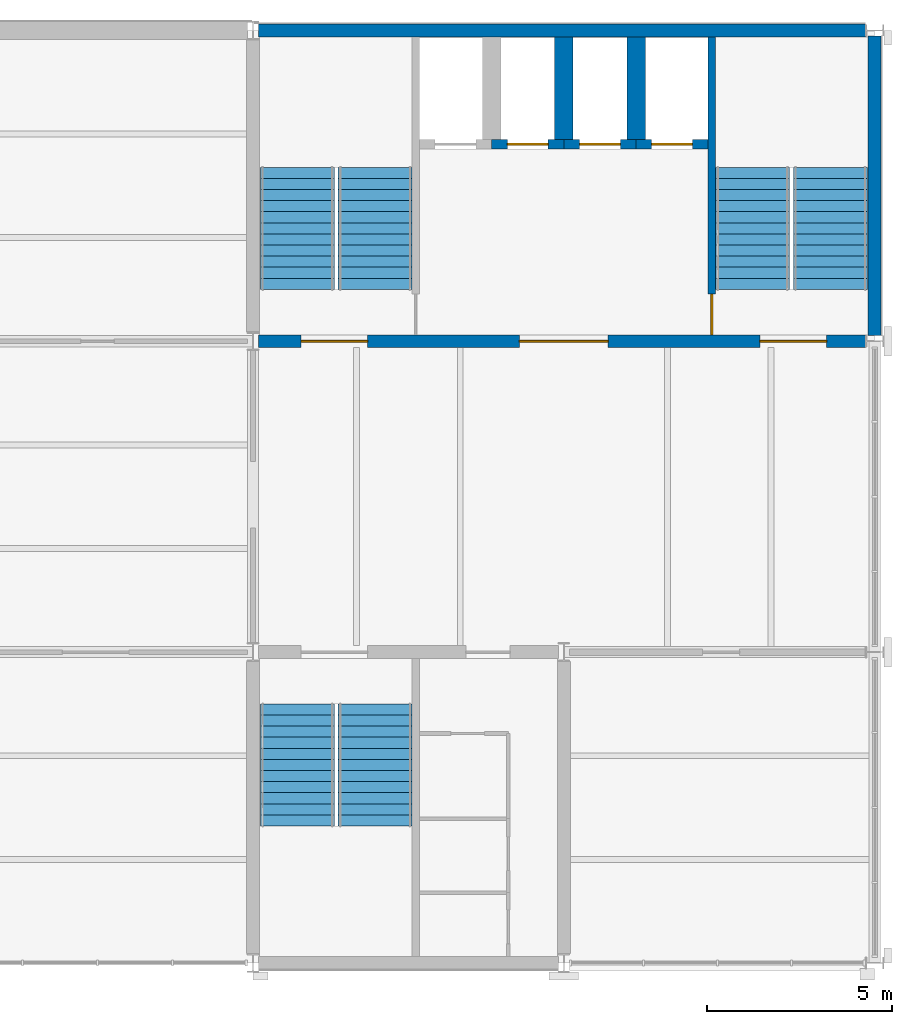
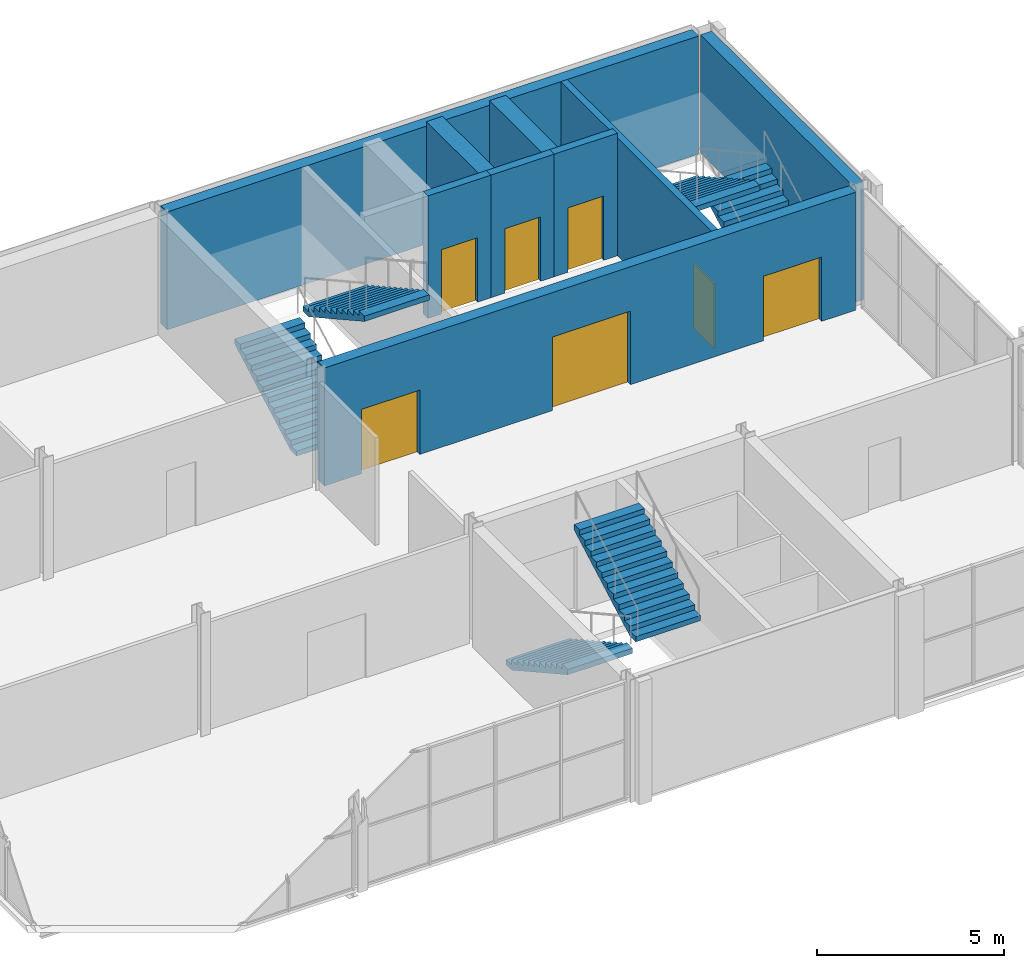
# One storey, part 9 of 12: 9 walls, 7 doors, 6 stair flights, 7 openings, 3 elements without a shape of their own.
"""IFC4 building model written with IfcOpenShell, lengths in metres."""

import ifcopenshell
import ifcopenshell.guid

model = None  # the IFC model being written
_history = None  # IfcOwnerHistory: only IFC2X3 demands one
_inside = {}  # id of a spatial element -> (the spatial element, [elements in it])
_under = {}  # id of a project, library or spatial element -> (it, [spatial elements below it])
_declared = {}  # id of a project -> (the project, [libraries it declares])
_typed = {}  # id of a type object -> (the type object, [elements of that type])
_made_of = {}  # id of a material, layer set ... -> (it, [elements and type objects made of it])


def new_model(schema):
    """Start an empty IFC model of exactly this schema.

    Asked for "IFC4X3", IfcOpenShell would pick the latest addendum, in which some entities
    have other attributes; the version numbers below select the first issue.
    IFC2X3 requires an IfcOwnerHistory on every rooted entity: one is made here for all.
    """
    global model, _history
    if schema == "IFC4X3":
        model = ifcopenshell.file(schema_version=(4, 3, 0, 0))
    else:
        model = ifcopenshell.file(schema=schema)
    _inside.clear()
    _under.clear()
    _declared.clear()
    _typed.clear()
    _made_of.clear()
    _history = None
    if model.schema == "IFC2X3":
        org = make("IfcOrganization", Name="unknown")
        user = make(
            "IfcPersonAndOrganization",
            ThePerson=make("IfcPerson", FamilyName="unknown"),
            TheOrganization=org,
        )
        app = make(
            "IfcApplication",
            ApplicationDeveloper=org,
            Version="unknown",
            ApplicationFullName="unknown",
            ApplicationIdentifier="unknown",
        )
        _history = make(
            "IfcOwnerHistory",
            OwningUser=user,
            OwningApplication=app,
            ChangeAction="ADDED",
            CreationDate=0,
        )
    return model


def make(cls, **values):
    """One entity of the class cls with the attributes given. An attribute that is None is left unset."""
    return model.create_entity(
        cls, **{name: value for name, value in values.items() if value is not None}
    )


def rooted(cls, **values):
    """An entity with a GlobalId (a new one), such as an element, a storey or a relation."""
    return make(cls, GlobalId=ifcopenshell.guid.new(), OwnerHistory=_history, **values)


def si_unit(unit_type, name, prefix=None):
    """IfcSIUnit, for example si_unit("LENGTHUNIT", "METRE", prefix="MILLI")."""
    return make("IfcSIUnit", UnitType=unit_type, Prefix=prefix, Name=name)


def assignment(units):
    """IfcUnitAssignment: the units of a project."""
    return None if units is None else make("IfcUnitAssignment", Units=units)


def point(xyz):
    """IfcCartesianPoint."""
    return None if xyz is None else make("IfcCartesianPoint", Coordinates=xyz)


def direction(xyz):
    """IfcDirection."""
    return None if xyz is None else make("IfcDirection", DirectionRatios=xyz)


def frame(location, z_axis=None, x_axis=None):
    """IfcAxis2Placement3D, a coordinate frame: its origin and axes. An axis left out is left unset."""
    return make(
        "IfcAxis2Placement3D",
        Location=point(location),
        Axis=direction(z_axis),
        RefDirection=direction(x_axis),
    )


def frame_2d(location, x_axis=None):
    """IfcAxis2Placement2D, a coordinate frame in the plane: its origin and x axis."""
    return make(
        "IfcAxis2Placement2D", Location=point(location), RefDirection=direction(x_axis)
    )


def origin():
    """The frame at (0, 0, 0) with its axes left unset."""
    return frame((0.0, 0.0, 0.0))


def place(relative_to, where):
    """IfcLocalPlacement: puts the frame where relative to a parent placement (None: the world)."""
    return make(
        "IfcLocalPlacement", PlacementRelTo=relative_to, RelativePlacement=where
    )


def context(
    kind, dimensions, precision=None, world=None, true_north=None, identifier=None
):
    """IfcGeometricRepresentationContext, for example the 3D "Model" context."""
    return make(
        "IfcGeometricRepresentationContext",
        ContextIdentifier=identifier,
        ContextType=kind,
        CoordinateSpaceDimension=dimensions,
        Precision=precision,
        WorldCoordinateSystem=world,
        TrueNorth=true_north,
    )


def subcontext(parent, identifier, kind, view, scale=None):
    """IfcGeometricRepresentationSubContext, for example "Body" below "Model"."""
    return make(
        "IfcGeometricRepresentationSubContext",
        ContextIdentifier=identifier,
        ContextType=kind,
        ParentContext=parent,
        TargetScale=scale,
        TargetView=view,
    )


def project(units=None, contexts=None):
    """IfcProject with its units and contexts."""
    return rooted(
        "IfcProject",
        Name="project",
        RepresentationContexts=contexts,
        UnitsInContext=assignment(units),
    )


def spatial(cls, under=None, at=None, **own):
    """A site, building, storey or space (cls), placed at a placement, below another one or the project."""
    s = rooted(cls, ObjectPlacement=at, **own)
    if under is not None:
        _under.setdefault(under.id(), (under, []))[1].append(s)
    return s


def polyline(points):
    """IfcPolyline through the points."""
    return make("IfcPolyline", Points=[point(p) for p in points])


def profile(cls, at=None, kind="AREA", **sizes):
    """A parametric profile (cls). Its sizes go by their IFC names, for example OverallWidth=200.0."""
    return make(cls, ProfileType=kind, Position=at, **sizes)


def rectangle(**sizes):
    """IfcRectangleProfileDef."""
    return profile("IfcRectangleProfileDef", **sizes)


def outline(outer, holes=None, kind="AREA"):
    """IfcArbitraryClosedProfileDef: a profile drawn as a closed curve; with holes, ...WithVoids."""
    if holes is None:
        return make("IfcArbitraryClosedProfileDef", ProfileType=kind, OuterCurve=outer)
    return make(
        "IfcArbitraryProfileDefWithVoids",
        ProfileType=kind,
        OuterCurve=outer,
        InnerCurves=holes,
    )


def extrude(swept, where, along, depth):
    """IfcExtrudedAreaSolid: the profile swept, set in the frame where, extruded along a direction by depth."""
    return make(
        "IfcExtrudedAreaSolid",
        SweptArea=swept,
        Position=where,
        ExtrudedDirection=direction(along),
        Depth=depth,
    )


def shape(context_of_items, identifier, shape_type, items):
    """IfcShapeRepresentation: the items that make up one representation, for example the "Body"."""
    return make(
        "IfcShapeRepresentation",
        ContextOfItems=context_of_items,
        RepresentationIdentifier=identifier,
        RepresentationType=shape_type,
        Items=items,
    )


def material(Name=None, Category=None):
    """IfcMaterial."""
    return make("IfcMaterial", Name=Name, Category=Category)


def layer(
    of_material, thickness, ventilated=None, Name=None, Category=None, Priority=None
):
    """IfcMaterialLayer: one layer of a wall or slab, of a material (None: an air gap)."""
    return make(
        "IfcMaterialLayer",
        Material=of_material,
        LayerThickness=thickness,
        IsVentilated=ventilated,
        Name=Name,
        Category=Category,
        Priority=Priority,
    )


def layer_set(layers, Name=None):
    """IfcMaterialLayerSet."""
    return make("IfcMaterialLayerSet", MaterialLayers=layers, LayerSetName=Name)


def made_of(thing, what):
    """Note that an element or type object is made of a material, layer set ...; save() writes the relation."""
    if what is not None:
        _made_of.setdefault(what.id(), (what, []))[1].append(thing)
    return thing


def type_object(cls, material=None, **own):
    """A type object (cls), such as IfcWallType, which elements share."""
    return made_of(rooted(cls, **own), material)


def element(
    cls,
    number,
    at=None,
    inside=None,
    cuts=None,
    type_object=None,
    material=None,
    context=None,
    identifier="Body",
    shape_type=None,
    held_by="IfcProductDefinitionShape",
    body=None,
    shapes=None,
    **own,
):
    """One element of the class cls, such as IfcWall. Its Tag is "e" and its number.

    at: its placement. inside: the storey or other place that contains it. cuts: it is an
    opening in that element (IfcRelVoidsElement). A single representation is given by context,
    identifier, shape_type and body (its items); several are given by shapes. held_by: the class
    of the entity that holds the representations. save() writes the other relations.
    """
    e = rooted(cls, Tag="e%d" % number, ObjectPlacement=at, **own)
    if body is not None:
        shapes = [shape(context, identifier, shape_type, body)]
    if shapes is not None:
        e.Representation = make(held_by, Representations=shapes)
    if inside is not None:
        _inside.setdefault(inside.id(), (inside, []))[1].append(e)
    if cuts is not None:
        rooted(
            "IfcRelVoidsElement", RelatingBuildingElement=cuts, RelatedOpeningElement=e
        )
    if type_object is not None:
        _typed.setdefault(type_object.id(), (type_object, []))[1].append(e)
    return made_of(e, material)


def fill(opening, filler):
    """IfcRelFillsElement: the door or window that sits in an opening."""
    return rooted(
        "IfcRelFillsElement",
        RelatingOpeningElement=opening,
        RelatedBuildingElement=filler,
    )


def aggregate(whole, parts):
    """IfcRelAggregates: a whole, such as a stair, and the parts it consists of."""
    return rooted("IfcRelAggregates", RelatingObject=whole, RelatedObjects=parts)


def save(model, path):
    """Write the relations noted so far, then the file.

    IfcRelAggregates (storeys below a building ...), IfcRelContainedInSpatialStructure (elements
    in a storey), IfcRelDefinesByType, IfcRelAssociatesMaterial and IfcRelDeclares: one each for
    every whole, place, type object, material and project.
    """
    for whole, parts in _under.values():
        aggregate(whole, parts)
    for where, things in _inside.values():
        rooted(
            "IfcRelContainedInSpatialStructure",
            RelatedElements=things,
            RelatingStructure=where,
        )
    for kind, things in _typed.values():
        rooted("IfcRelDefinesByType", RelatedObjects=things, RelatingType=kind)
    for what, things in _made_of.values():
        rooted("IfcRelAssociatesMaterial", RelatedObjects=things, RelatingMaterial=what)
    for by, libraries in _declared.values():
        rooted("IfcRelDeclares", RelatingContext=by, RelatedDefinitions=libraries)
    model.write(path)


model = new_model("IFC4")

# Units and contexts
model_context = context("Model", 3, precision=1e-05, world=origin(), true_north=direction((0.0, 1.0)))
body_context = subcontext(model_context, "Body", "Model", "MODEL_VIEW")
ifc_project = project(units=[si_unit("LENGTHUNIT", "METRE"), si_unit("AREAUNIT", "SQUARE_METRE"), si_unit("VOLUMEUNIT", "CUBIC_METRE"), si_unit("PLANEANGLEUNIT", "RADIAN"), si_unit("MASSUNIT", "GRAM", prefix="KILO")], contexts=[model_context])

# Site, building, storey
site_placement = place(None, origin())
site = spatial("IfcSite", under=ifc_project, at=site_placement, CompositionType="ELEMENT")
building_placement = place(site_placement, origin())
building = spatial("IfcBuilding", under=site, at=building_placement, Name="Galleria Vessillo Department Store", CompositionType="ELEMENT")
storey_placement = place(building_placement, frame((0.0, 0.0, 35.60009765625)))
storey = spatial("IfcBuildingStorey", under=building, at=storey_placement, Name="L07", CompositionType="ELEMENT", Elevation=35.60009765625)

# Walls
ifc_material_1 = material(Name="Solid clay block masonry", Category="masonry")
ifc_layer_1 = layer(ifc_material_1, 0.5)
ifc_layer_set_1 = layer_set([ifc_layer_1], Name="Solid clay block masonry")
wall_type_1 = type_object("IfcWallType", Name="Lift shaft partition wall 500 mm", PredefinedType="SOLIDWALL", material=ifc_layer_set_1)
for number, where, z_axis, x_axis, name in (
    (1, (109.199951171875, 62.824951171875, 0.0), (0.0, 0.0, 1.0), (0.0, -1.0, 0.0), "Lift shaft partition wall T2 L07"),
    (2, (111.14990234375, 62.824951171875, 0.0), (0.0, 0.0, 1.0), (0.0, -1.0, 0.0), "Lift shaft partition wall T3 L07"),
):
    element("IfcWall", number, at=place(storey_placement, frame(where, z_axis=z_axis, x_axis=x_axis)), inside=storey, type_object=wall_type_1, Name=name, PredefinedType="SOLIDWALL", context=body_context, shape_type="SweptSolid", body=[
        extrude(rectangle(XDim=2.77490234375, YDim=0.5, at=frame_2d((1.387451171875, 0.0))), origin(), (0.0, 0.0, 1.0), 4.0),
    ])

# Wall, opening, door
ifc_material_2 = material(Name="Solid clay block masonry", Category="masonry")
ifc_layer_2 = layer(ifc_material_2, 0.25)
ifc_layer_set_2 = layer_set([ifc_layer_2], Name="Solid clay block masonry")
wall_type_2 = type_object("IfcWallType", Name="Lift shaft wall 250 mm", PredefinedType="SOLIDWALL", material=ifc_layer_set_2)
wall_1_placement = place(storey_placement, frame((107.25, 59.925048828125, 0.0), z_axis=(0.0, 0.0, 1.0), x_axis=(1.0, 0.0, 0.0)))
wall_1 = element("IfcWall", 3, at=wall_1_placement, inside=storey, type_object=wall_type_2, Name="Lift shaft wall T2 landing side L07", PredefinedType="SOLIDWALL", context=body_context, shape_type="SweptSolid", body=[
    extrude(rectangle(XDim=1.949951171875, YDim=0.25, at=frame_2d((0.97509765625, 0.0))), origin(), (0.0, 0.0, 1.0), 4.0),
])
opening_1_placement = place(wall_1_placement, frame((0.425048828125, 0.0, 0.0)))
opening_1 = element("IfcOpeningElement", 4, at=opening_1_placement, cuts=wall_1, Name="Opening LD102", PredefinedType="OPENING", context=body_context, shape_type="SweptSolid", body=[
    extrude(rectangle(XDim=1.10009765625, YDim=2.10009765625, at=frame_2d((0.550048828125, 1.050048828125))), frame((0.0, 0.135009765625, 0.0), z_axis=(0.0, -1.0, 0.0), x_axis=(1.0, 0.0, 0.0)), (0.0, 0.0, 1.0), 0.27001953125),
])
ifc_material_3 = material(Name="Stainless steel lift door panel", Category="steel")
door_type_1 = type_object("IfcDoorType", Name="Lift landing door LD110 sliding 1100 x 2100", OperationType="SLIDING_TO_LEFT", PredefinedType="DOOR", material=ifc_material_3)
door_1_placement = place(opening_1_placement, frame((1.10009765625, 0.0, 0.0), z_axis=(0.0, 0.0, 1.0), x_axis=(-1.0, 0.0, 0.0)))
door_1 = element("IfcDoor", 5, at=door_1_placement, inside=storey, type_object=door_type_1, Name="Lift landing door T2 L07", OperationType="SLIDING_TO_RIGHT", OverallHeight=2.10009765625, OverallWidth=1.10009765625, PredefinedType="DOOR", context=body_context, shape_type="SweptSolid", body=[
    extrude(rectangle(XDim=1.10009765625, YDim=2.10009765625, at=frame_2d((0.550048828125, 1.050048828125))), frame((0.0, 0.02490234375, 0.0), z_axis=(0.0, -1.0, 0.0), x_axis=(1.0, 0.0, 0.0)), (0.0, 0.0, 1.0), 0.050048828125),
])
fill(opening_1, door_1)

wall_2_placement = place(storey_placement, frame((109.199951171875, 59.925048828125, 0.0), z_axis=(0.0, 0.0, 1.0), x_axis=(1.0, 0.0, 0.0)))
wall_2 = element("IfcWall", 6, at=wall_2_placement, inside=storey, type_object=wall_type_2, Name="Lift shaft wall T3 landing side L07", PredefinedType="SOLIDWALL", context=body_context, shape_type="SweptSolid", body=[
    extrude(rectangle(XDim=1.949951171875, YDim=0.25, at=frame_2d((0.97509765625, 0.0))), origin(), (0.0, 0.0, 1.0), 4.0),
])
opening_2_placement = place(wall_2_placement, frame((0.425048828125, 0.0, 0.0)))
opening_2 = element("IfcOpeningElement", 7, at=opening_2_placement, cuts=wall_2, Name="Opening LD103", PredefinedType="OPENING", context=body_context, shape_type="SweptSolid", body=[
    extrude(rectangle(XDim=1.10009765625, YDim=2.10009765625, at=frame_2d((0.550048828125, 1.050048828125))), frame((0.0, 0.135009765625, 0.0), z_axis=(0.0, -1.0, 0.0), x_axis=(1.0, 0.0, 0.0)), (0.0, 0.0, 1.0), 0.27001953125),
])
door_2_placement = place(opening_2_placement, frame((1.10009765625, 0.0, 0.0), z_axis=(0.0, 0.0, 1.0), x_axis=(-1.0, 0.0, 0.0)))
door_2 = element("IfcDoor", 8, at=door_2_placement, inside=storey, type_object=door_type_1, Name="Lift landing door T3 L07", OperationType="SLIDING_TO_RIGHT", OverallHeight=2.10009765625, OverallWidth=1.10009765625, PredefinedType="DOOR", context=body_context, shape_type="SweptSolid", body=[
    extrude(rectangle(XDim=1.10009765625, YDim=2.10009765625, at=frame_2d((0.550048828125, 1.050048828125))), frame((0.0, 0.02490234375, 0.0), z_axis=(0.0, -1.0, 0.0), x_axis=(1.0, 0.0, 0.0)), (0.0, 0.0, 1.0), 0.050048828125),
])
fill(opening_2, door_2)

wall_3_placement = place(storey_placement, frame((111.14990234375, 59.925048828125, 0.0), z_axis=(0.0, 0.0, 1.0), x_axis=(1.0, 0.0, 0.0)))
wall_3 = element("IfcWall", 9, at=wall_3_placement, inside=storey, type_object=wall_type_2, Name="Lift shaft wall T4 landing side L07", PredefinedType="SOLIDWALL", context=body_context, shape_type="SweptSolid", body=[
    extrude(rectangle(XDim=1.9501953125, YDim=0.25, at=frame_2d((0.97509765625, 0.0))), origin(), (0.0, 0.0, 1.0), 4.0),
])
opening_3_placement = place(wall_3_placement, frame((0.425048828125, 0.0, 0.0)))
opening_3 = element("IfcOpeningElement", 10, at=opening_3_placement, cuts=wall_3, Name="Opening LD104", PredefinedType="OPENING", context=body_context, shape_type="SweptSolid", body=[
    extrude(rectangle(XDim=1.10009765625, YDim=2.10009765625, at=frame_2d((0.550048828125, 1.050048828125))), frame((0.0, 0.135009765625, 0.0), z_axis=(0.0, -1.0, 0.0), x_axis=(1.0, 0.0, 0.0)), (0.0, 0.0, 1.0), 0.27001953125),
])
door_3_placement = place(opening_3_placement, frame((1.10009765625, 0.0, 0.0), z_axis=(0.0, 0.0, 1.0), x_axis=(-1.0, 0.0, 0.0)))
door_3 = element("IfcDoor", 11, at=door_3_placement, inside=storey, type_object=door_type_1, Name="Lift landing door T4 L07", OperationType="SLIDING_TO_LEFT", OverallHeight=2.10009765625, OverallWidth=1.10009765625, PredefinedType="DOOR", context=body_context, shape_type="SweptSolid", body=[
    extrude(rectangle(XDim=1.10009765625, YDim=2.10009765625, at=frame_2d((0.550048828125, 1.050048828125))), frame((0.0, 0.02490234375, 0.0), z_axis=(0.0, -1.0, 0.0), x_axis=(1.0, 0.0, 0.0)), (0.0, 0.0, 1.0), 0.050048828125),
])
fill(opening_3, door_3)

# Wall, openings, doors
ifc_material_4 = material(Name="Concrete C32/40 reinforced", Category="concrete")
ifc_layer_3 = layer(ifc_material_4, 0.35009765625)
ifc_layer_set_3 = layer_set([ifc_layer_3], Name="Concrete C32/40 reinforced")
wall_type_3 = type_object("IfcWallType", Name="Reinforced concrete core wall 350 mm", PredefinedType="SHEAR", material=ifc_layer_set_3)
wall_4_placement = place(storey_placement, frame((100.949951171875, 54.60009765625, 0.0), z_axis=(0.0, 0.0, 1.0), x_axis=(1.0, 0.0, 0.0)))
wall_4 = element("IfcWall", 12, at=wall_4_placement, inside=storey, type_object=wall_type_3, Name="S-CW-TC-INTERIOR-L07", PredefinedType="SHEAR", context=body_context, shape_type="SweptSolid", body=[
    extrude(rectangle(XDim=16.400146484375, YDim=0.35009765625, at=frame_2d((8.2001953125, 0.0))), origin(), (0.0, 0.0, 1.0), 3.85009765625),
])
opening_4_placement = place(wall_4_placement, frame((1.14990234375, 0.0, 0.0)))
opening_4 = element("IfcOpeningElement", 13, at=opening_4_placement, cuts=wall_4, Name="Opening D5277", PredefinedType="OPENING", context=body_context, shape_type="SweptSolid", body=[
    extrude(rectangle(XDim=1.800048828125, YDim=2.10009765625, at=frame_2d((0.89990234375, 1.050048828125))), frame((0.0, 0.18505859375, 0.0), z_axis=(0.0, -1.0, 0.0), x_axis=(1.0, 0.0, 0.0)), (0.0, 0.0, 1.0), 0.3701171875),
])
opening_5_placement = place(wall_4_placement, frame((13.5498046875, 0.0, 0.0)))
opening_5 = element("IfcOpeningElement", 14, at=opening_5_placement, cuts=wall_4, Name="Opening D5278", PredefinedType="OPENING", context=body_context, shape_type="SweptSolid", body=[
    extrude(rectangle(XDim=1.800048828125, YDim=2.10009765625, at=frame_2d((0.89990234375, 1.050048828125))), frame((0.0, 0.18505859375, 0.0), z_axis=(0.0, -1.0, 0.0), x_axis=(1.0, 0.0, 0.0)), (0.0, 0.0, 1.0), 0.3701171875),
])
opening_6_placement = place(wall_4_placement, frame((7.0498046875, 0.0, 0.0)))
opening_6 = element("IfcOpeningElement", 15, at=opening_6_placement, cuts=wall_4, Name="Opening D5279", PredefinedType="OPENING", context=body_context, shape_type="SweptSolid", body=[
    extrude(rectangle(XDim=2.39990234375, YDim=2.39990234375, at=frame_2d((1.199951171875, 1.199951171875))), frame((0.0, 0.18505859375, 0.0), z_axis=(0.0, -1.0, 0.0), x_axis=(1.0, 0.0, 0.0)), (0.0, 0.0, 1.0), 0.3701171875),
])
ifc_material_5 = material(Name="Fire-rated steel door leaf", Category="steel")
door_type_2 = type_object("IfcDoorType", Name="Door D180F double leaf 1800 x 2100", OperationType="DOUBLE_DOOR_SINGLE_SWING", PredefinedType="DOOR", material=ifc_material_5)
door_4_placement = place(opening_4_placement, origin())
door_4 = element("IfcDoor", 16, at=door_4_placement, inside=storey, type_object=door_type_2, Name="Lobby door TC-ST8-FLOOR L07", OperationType="DOUBLE_DOOR_SINGLE_SWING", OverallHeight=2.10009765625, OverallWidth=1.800048828125, PredefinedType="DOOR", context=body_context, shape_type="SweptSolid", body=[
    extrude(rectangle(XDim=1.800048828125, YDim=2.10009765625, at=frame_2d((0.89990234375, 1.050048828125))), frame((0.0, 0.02490234375, 0.0), z_axis=(0.0, -1.0, 0.0), x_axis=(1.0, 0.0, 0.0)), (0.0, 0.0, 1.0), 0.050048828125),
])
fill(opening_4, door_4)
door_5_placement = place(opening_5_placement, origin())
door_5 = element("IfcDoor", 17, at=door_5_placement, inside=storey, type_object=door_type_2, Name="Lobby door TC-ST9-FLOOR L07", OperationType="DOUBLE_DOOR_SINGLE_SWING", OverallHeight=2.10009765625, OverallWidth=1.800048828125, PredefinedType="DOOR", context=body_context, shape_type="SweptSolid", body=[
    extrude(rectangle(XDim=1.800048828125, YDim=2.10009765625, at=frame_2d((0.89990234375, 1.050048828125))), frame((0.0, 0.02490234375, 0.0), z_axis=(0.0, -1.0, 0.0), x_axis=(1.0, 0.0, 0.0)), (0.0, 0.0, 1.0), 0.050048828125),
])
fill(opening_5, door_5)
ifc_material_6 = material(Name="Fire-rated steel door leaf", Category="steel")
door_type_3 = type_object("IfcDoorType", Name="Door D240F double leaf 2400 x 2400", OperationType="DOUBLE_DOOR_SINGLE_SWING", PredefinedType="DOOR", material=ifc_material_6)
door_6_placement = place(opening_6_placement, frame((2.39990234375, 0.0, 0.0), z_axis=(0.0, 0.0, 1.0), x_axis=(-1.0, 0.0, 0.0)))
door_6 = element("IfcDoor", 18, at=door_6_placement, inside=storey, type_object=door_type_3, Name="Lobby door TC-LOBBY-FLOOR L07", OperationType="DOUBLE_DOOR_SINGLE_SWING", OverallHeight=2.39990234375, OverallWidth=2.39990234375, PredefinedType="DOOR", context=body_context, shape_type="SweptSolid", body=[
    extrude(rectangle(XDim=2.39990234375, YDim=2.39990234375, at=frame_2d((1.199951171875, 1.199951171875))), frame((0.0, 0.02490234375, 0.0), z_axis=(0.0, -1.0, 0.0), x_axis=(1.0, 0.0, 0.0)), (0.0, 0.0, 1.0), 0.050048828125),
])
fill(opening_6, door_6)

# Walls
ifc_material_7 = material(Name="Concrete C32/40 reinforced", Category="concrete")
ifc_layer_4 = layer(ifc_material_7, 0.35009765625)
ifc_layer_set_4 = layer_set([ifc_layer_4], Name="Concrete C32/40 reinforced")
wall_type_4 = type_object("IfcWallType", Name="Reinforced concrete core wall 350 mm, external", PredefinedType="SHEAR", material=ifc_layer_set_4)
wall_5_placement = place(storey_placement, frame((100.949951171875, 63.0, 0.0), z_axis=(0.0, 0.0, 1.0), x_axis=(1.0, 0.0, 0.0)))
element("IfcWall", 19, at=wall_5_placement, inside=storey, type_object=wall_type_4, Name="S-CW-TC-PARTY-L07", PredefinedType="SHEAR", context=body_context, shape_type="SweptSolid", body=[
    extrude(rectangle(XDim=16.400146484375, YDim=0.35009765625, at=frame_2d((8.2001953125, 0.0))), origin(), (0.0, 0.0, 1.0), 3.85009765625),
])
wall_6_placement = place(storey_placement, frame((117.60009765625, 54.75, 0.0), z_axis=(0.0, 0.0, 1.0), x_axis=(0.0, 1.0, 0.0)))
element("IfcWall", 20, at=wall_6_placement, inside=storey, type_object=wall_type_4, Name="S-CW-TC-EAST-L07", PredefinedType="SHEAR", context=body_context, shape_type="SweptSolid", body=[
    extrude(rectangle(XDim=8.10009765625, YDim=0.35009765625, at=frame_2d((4.050048828125, 0.0))), origin(), (0.0, 0.0, 1.0), 3.85009765625),
])

# Wall, opening, door
ifc_material_8 = material(Name="Concrete C32/40 reinforced", Category="concrete")
ifc_layer_5 = layer(ifc_material_8, 0.199951171875)
ifc_layer_set_5 = layer_set([ifc_layer_5], Name="Concrete C32/40 reinforced")
wall_type_5 = type_object("IfcWallType", Name="Reinforced concrete stair enclosure wall 200 mm", PredefinedType="SHEAR", material=ifc_layer_set_5)
wall_7_placement = place(storey_placement, frame((113.199951171875, 62.824951171875, 0.0), z_axis=(0.0, 0.0, 1.0), x_axis=(0.0, -1.0, 0.0)))
wall_7 = element("IfcWall", 21, at=wall_7_placement, inside=storey, type_object=wall_type_5, Name="Stair enclosure wall TC L07", PredefinedType="SHEAR", context=body_context, shape_type="SweptSolid", body=[
    extrude(rectangle(XDim=8.050048828125, YDim=0.199951171875, at=frame_2d((4.02490234375, 0.0))), origin(), (0.0, 0.0, 1.0), 3.849853515625),
])
opening_7_placement = place(wall_7_placement, frame((6.949951171875, 0.0, 0.0)))
opening_7 = element("IfcOpeningElement", 22, at=opening_7_placement, cuts=wall_7, Name="Opening D5276", PredefinedType="OPENING", context=body_context, shape_type="SweptSolid", body=[
    extrude(rectangle(XDim=1.11009765625, YDim=2.10009765625, at=frame_2d((0.554931640625, 1.050048828125))), frame((0.0, 0.10986328125, 0.0), z_axis=(0.0, -1.0, 0.0), x_axis=(1.0, 0.0, 0.0)), (0.0, 0.0, 1.0), 0.219970703125),
])
ifc_material_9 = material(Name="Fire-rated steel door leaf", Category="steel")
door_type_4 = type_object("IfcDoorType", Name="Door D110F stair door 1100 x 2100", OperationType="SINGLE_SWING_LEFT", PredefinedType="DOOR", material=ifc_material_9)
door_7_placement = place(opening_7_placement, origin())
door_7 = element("IfcDoor", 23, at=door_7_placement, inside=storey, type_object=door_type_4, Name="Stair door TC-ST9-LOBBY L07", OperationType="SINGLE_SWING_RIGHT", OverallHeight=2.10009765625, OverallWidth=1.10009765625, PredefinedType="DOOR", context=body_context, shape_type="SweptSolid", body=[
    extrude(rectangle(XDim=1.10009765625, YDim=2.10009765625, at=frame_2d((0.550048828125, 1.050048828125))), frame((0.0, 0.02490234375, 0.0), z_axis=(0.0, -1.0, 0.0), x_axis=(1.0, 0.0, 0.0)), (0.0, 0.0, 1.0), 0.050048828125),
])
fill(opening_7, door_7)

# Stair, stair flights
ifc_material_10 = material(Name="Concrete C32/40", Category="concrete")
stair_type = type_object("IfcStairType", Name="Half-turn escape stair 2000 mm, 24 risers of 167 mm", PredefinedType="HALF_TURN_STAIR", material=ifc_material_10)
stair_1_placement = place(storey_placement, origin())
stair_1 = element("IfcStair", 24, at=stair_1_placement, inside=storey, type_object=stair_type, Name="Stair ST8 L07", PredefinedType="HALF_TURN_STAIR")
ifc_material_11 = material(Name="Concrete C32/40", Category="concrete")
stair_flight_type = type_object("IfcStairFlightType", Name="Stair flight 2000 mm, 12 risers of 167 mm", PredefinedType="STRAIGHT", material=ifc_material_11)
stair_flight_1_placement = place(storey_placement, frame((102.0, 55.99951171875, 0.0), z_axis=(0.0, 0.0, 1.0), x_axis=(0.0, 1.0, 0.0)))
stair_flight_1 = element("IfcStairFlight", 25, at=stair_flight_1_placement, type_object=stair_flight_type, Name="ST8 flight 1", NumberOfRisers=12, NumberOfTreads=11, PredefinedType="STRAIGHT", RiserHeight=0.166666667, TreadLength=0.3, context=body_context, shape_type="SweptSolid", body=[
    extrude(outline(polyline([(0.0, 0.0), (0.0, 0.166748046875), (0.300048828125, 0.166748046875), (0.300048828125, 0.333251953125), (0.60009765625, 0.333251953125), (0.60009765625, 0.5), (0.89990234375, 0.5), (0.89990234375, 0.666748046875), (1.199951171875, 0.666748046875), (1.199951171875, 0.833251953125), (1.5, 0.833251953125), (1.5, 1.0), (1.800048828125, 1.0), (1.800048828125, 1.166748046875), (2.10009765625, 1.166748046875), (2.10009765625, 1.333251953125), (2.39990234375, 1.333251953125), (2.39990234375, 1.5), (2.699951171875, 1.5), (2.699951171875, 1.666748046875), (3.0, 1.666748046875), (3.0, 1.833251953125), (3.300048828125, 1.833251953125), (3.300048828125, 2.0), (3.300048828125, 1.661865234375), (0.30859375, 0.0), (0.0, 0.0)])), frame((0.0, 1.0, 0.0), z_axis=(0.0, -1.0, 0.0), x_axis=(1.0, 0.0, 0.0)), (0.0, 0.0, 1.0), 2.0),
])
stair_flight_2_placement = place(storey_placement, frame((104.10009765625, 59.299560546875, 2.0), z_axis=(0.0, 0.0, 1.0), x_axis=(0.0, -1.0, 0.0)))
stair_flight_2 = element("IfcStairFlight", 26, at=stair_flight_2_placement, type_object=stair_flight_type, Name="ST8 flight 2", NumberOfRisers=12, NumberOfTreads=11, PredefinedType="STRAIGHT", RiserHeight=0.166666667, TreadLength=0.3, context=body_context, shape_type="SweptSolid", body=[
    extrude(outline(polyline([(0.0, 0.0), (0.0, 0.166748046875), (0.300048828125, 0.166748046875), (0.300048828125, 0.333251953125), (0.60009765625, 0.333251953125), (0.60009765625, 0.5), (0.89990234375, 0.5), (0.89990234375, 0.666748046875), (1.199951171875, 0.666748046875), (1.199951171875, 0.833251953125), (1.5, 0.833251953125), (1.5, 1.0), (1.800048828125, 1.0), (1.800048828125, 1.166748046875), (2.10009765625, 1.166748046875), (2.10009765625, 1.333251953125), (2.39990234375, 1.333251953125), (2.39990234375, 1.5), (2.699951171875, 1.5), (2.699951171875, 1.666748046875), (3.0, 1.666748046875), (3.0, 1.833251953125), (3.300048828125, 1.833251953125), (3.300048828125, 2.0), (3.300048828125, 1.661865234375), (0.30859375, 0.0), (0.0, 0.0)])), frame((0.0, 1.0, 0.0), z_axis=(0.0, -1.0, 0.0), x_axis=(1.0, 0.0, 0.0)), (0.0, 0.0, 1.0), 2.0),
])
aggregate(stair_1, [stair_flight_1, stair_flight_2])

stair_2_placement = place(storey_placement, origin())
stair_2 = element("IfcStair", 27, at=stair_2_placement, inside=storey, type_object=stair_type, Name="Stair ST9 L07", PredefinedType="HALF_TURN_STAIR")
stair_flight_3_placement = place(storey_placement, frame((116.39990234375, 55.99951171875, 0.0), z_axis=(0.0, 0.0, 1.0), x_axis=(0.0, 1.0, 0.0)))
stair_flight_3 = element("IfcStairFlight", 28, at=stair_flight_3_placement, type_object=stair_flight_type, Name="ST9 flight 1", NumberOfRisers=12, NumberOfTreads=11, PredefinedType="STRAIGHT", RiserHeight=0.166666667, TreadLength=0.3, context=body_context, shape_type="SweptSolid", body=[
    extrude(outline(polyline([(0.0, 0.0), (0.0, 0.166748046875), (0.300048828125, 0.166748046875), (0.300048828125, 0.333251953125), (0.60009765625, 0.333251953125), (0.60009765625, 0.5), (0.89990234375, 0.5), (0.89990234375, 0.666748046875), (1.199951171875, 0.666748046875), (1.199951171875, 0.833251953125), (1.5, 0.833251953125), (1.5, 1.0), (1.800048828125, 1.0), (1.800048828125, 1.166748046875), (2.10009765625, 1.166748046875), (2.10009765625, 1.333251953125), (2.39990234375, 1.333251953125), (2.39990234375, 1.5), (2.699951171875, 1.5), (2.699951171875, 1.666748046875), (3.0, 1.666748046875), (3.0, 1.833251953125), (3.300048828125, 1.833251953125), (3.300048828125, 2.0), (3.300048828125, 1.661865234375), (0.30859375, 0.0), (0.0, 0.0)])), frame((0.0, 1.0, 0.0), z_axis=(0.0, -1.0, 0.0), x_axis=(1.0, 0.0, 0.0)), (0.0, 0.0, 1.0), 2.0),
])
stair_flight_4_placement = place(storey_placement, frame((114.300048828125, 59.299560546875, 2.0), z_axis=(0.0, 0.0, 1.0), x_axis=(0.0, -1.0, 0.0)))
stair_flight_4 = element("IfcStairFlight", 29, at=stair_flight_4_placement, type_object=stair_flight_type, Name="ST9 flight 2", NumberOfRisers=12, NumberOfTreads=11, PredefinedType="STRAIGHT", RiserHeight=0.166666667, TreadLength=0.3, context=body_context, shape_type="SweptSolid", body=[
    extrude(outline(polyline([(0.0, 0.0), (0.0, 0.166748046875), (0.300048828125, 0.166748046875), (0.300048828125, 0.333251953125), (0.60009765625, 0.333251953125), (0.60009765625, 0.5), (0.89990234375, 0.5), (0.89990234375, 0.666748046875), (1.199951171875, 0.666748046875), (1.199951171875, 0.833251953125), (1.5, 0.833251953125), (1.5, 1.0), (1.800048828125, 1.0), (1.800048828125, 1.166748046875), (2.10009765625, 1.166748046875), (2.10009765625, 1.333251953125), (2.39990234375, 1.333251953125), (2.39990234375, 1.5), (2.699951171875, 1.5), (2.699951171875, 1.666748046875), (3.0, 1.666748046875), (3.0, 1.833251953125), (3.300048828125, 1.833251953125), (3.300048828125, 2.0), (3.300048828125, 1.661865234375), (0.30859375, 0.0), (0.0, 0.0)])), frame((0.0, 1.0, 0.0), z_axis=(0.0, -1.0, 0.0), x_axis=(1.0, 0.0, 0.0)), (0.0, 0.0, 1.0), 2.0),
])
aggregate(stair_2, [stair_flight_3, stair_flight_4])

stair_3_placement = place(storey_placement, origin())
stair_3 = element("IfcStair", 30, at=stair_3_placement, inside=storey, type_object=stair_type, Name="Stair ST12 L07", PredefinedType="HALF_TURN_STAIR")
stair_flight_5_placement = place(storey_placement, frame((102.0, 44.800537109375, 0.0), z_axis=(0.0, 0.0, 1.0), x_axis=(0.0, -1.0, 0.0)))
stair_flight_5 = element("IfcStairFlight", 31, at=stair_flight_5_placement, type_object=stair_flight_type, Name="ST12 flight 1", NumberOfRisers=12, NumberOfTreads=11, PredefinedType="STRAIGHT", RiserHeight=0.166666667, TreadLength=0.3, context=body_context, shape_type="SweptSolid", body=[
    extrude(outline(polyline([(0.0, 0.0), (0.0, 0.166748046875), (0.300048828125, 0.166748046875), (0.300048828125, 0.333251953125), (0.60009765625, 0.333251953125), (0.60009765625, 0.5), (0.89990234375, 0.5), (0.89990234375, 0.666748046875), (1.199951171875, 0.666748046875), (1.199951171875, 0.833251953125), (1.5, 0.833251953125), (1.5, 1.0), (1.800048828125, 1.0), (1.800048828125, 1.166748046875), (2.10009765625, 1.166748046875), (2.10009765625, 1.333251953125), (2.39990234375, 1.333251953125), (2.39990234375, 1.5), (2.699951171875, 1.5), (2.699951171875, 1.666748046875), (3.0, 1.666748046875), (3.0, 1.833251953125), (3.300048828125, 1.833251953125), (3.300048828125, 2.0), (3.300048828125, 1.661865234375), (0.30859375, 0.0), (0.0, 0.0)])), frame((0.0, 1.0, 0.0), z_axis=(0.0, -1.0, 0.0), x_axis=(1.0, 0.0, 0.0)), (0.0, 0.0, 1.0), 2.0),
])
stair_flight_6_placement = place(storey_placement, frame((104.10009765625, 41.50048828125, 2.0), z_axis=(0.0, 0.0, 1.0), x_axis=(0.0, 1.0, 0.0)))
stair_flight_6 = element("IfcStairFlight", 32, at=stair_flight_6_placement, type_object=stair_flight_type, Name="ST12 flight 2", NumberOfRisers=12, NumberOfTreads=11, PredefinedType="STRAIGHT", RiserHeight=0.166666667, TreadLength=0.3, context=body_context, shape_type="SweptSolid", body=[
    extrude(outline(polyline([(0.0, 0.0), (0.0, 0.166748046875), (0.300048828125, 0.166748046875), (0.300048828125, 0.333251953125), (0.60009765625, 0.333251953125), (0.60009765625, 0.5), (0.89990234375, 0.5), (0.89990234375, 0.666748046875), (1.199951171875, 0.666748046875), (1.199951171875, 0.833251953125), (1.5, 0.833251953125), (1.5, 1.0), (1.800048828125, 1.0), (1.800048828125, 1.166748046875), (2.10009765625, 1.166748046875), (2.10009765625, 1.333251953125), (2.39990234375, 1.333251953125), (2.39990234375, 1.5), (2.699951171875, 1.5), (2.699951171875, 1.666748046875), (3.0, 1.666748046875), (3.0, 1.833251953125), (3.300048828125, 1.833251953125), (3.300048828125, 2.0), (3.300048828125, 1.661865234375), (0.30859375, 0.0), (0.0, 0.0)])), frame((0.0, 1.0, 0.0), z_axis=(0.0, -1.0, 0.0), x_axis=(1.0, 0.0, 0.0)), (0.0, 0.0, 1.0), 2.0),
])
aggregate(stair_3, [stair_flight_5, stair_flight_6])

save(model, "model.ifc")
